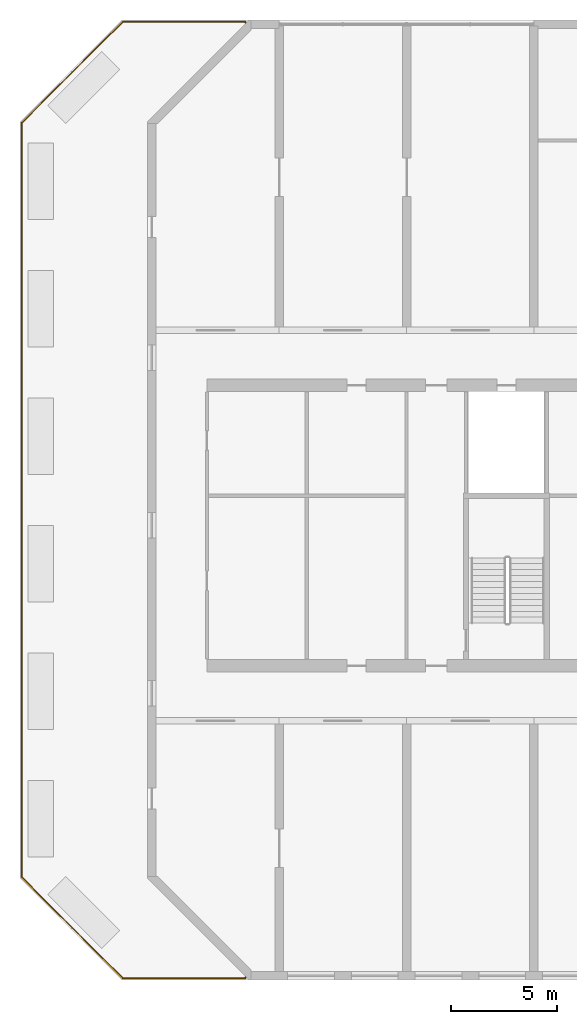
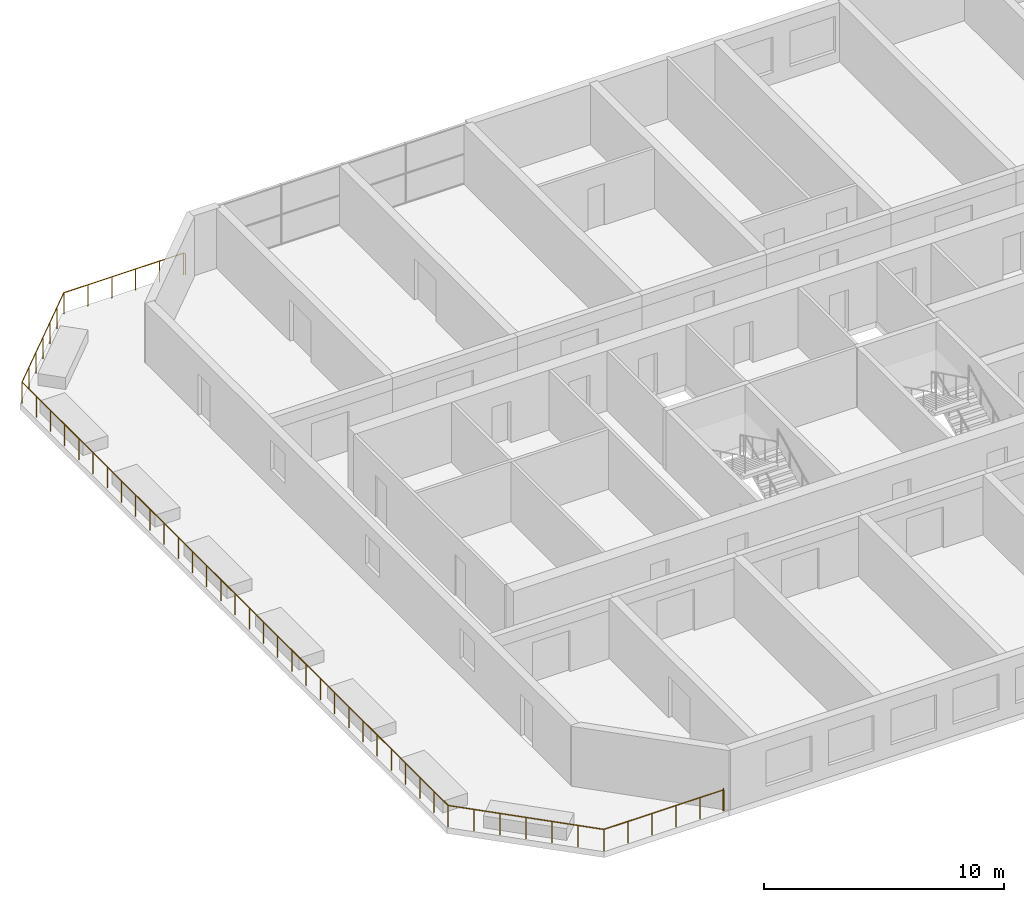
# One storey, part 18 of 21: 1 railing.
"""IFC4 building model written with IfcOpenShell, lengths in metres."""

from ifc_helpers import new_model, si_unit, direction, frame, origin, origin_2d, place, context, subcontext, project, spatial, circle, extrude, material, type_object, element, save


model = new_model("IFC4")

# Units and contexts
model_context = context("Model", 3, precision=1e-05, world=origin(), true_north=direction((0.0, 1.0)))
body_context = subcontext(model_context, "Body", "Model", "MODEL_VIEW")
ifc_project = project(units=[si_unit("LENGTHUNIT", "METRE"), si_unit("AREAUNIT", "SQUARE_METRE"), si_unit("VOLUMEUNIT", "CUBIC_METRE"), si_unit("PLANEANGLEUNIT", "RADIAN"), si_unit("MASSUNIT", "GRAM", prefix="KILO")], contexts=[model_context])

# Site, building, storey
site_placement = place(None, origin())
site = spatial("IfcSite", under=ifc_project, at=site_placement, CompositionType="ELEMENT")
building_placement = place(site_placement, origin())
building = spatial("IfcBuilding", under=site, at=building_placement, Name="Poui Terraces", CompositionType="ELEMENT")
storey_placement = place(building_placement, frame((0.0, 0.0, 53.10009765625)))
storey = spatial("IfcBuildingStorey", under=building, at=storey_placement, Name="L14", CompositionType="ELEMENT", Elevation=53.10009765625)

# Railing
ifc_material = material(Name="Painted steel fretwork", Category="steel")
railing_type = type_object("IfcRailingType", Name="TERRACE GUARD 1100", PredefinedType="GUARDRAIL", material=ifc_material)
railing_placement = place(storey_placement, frame((10.443359375, -0.04345703125, 0.0)))
element("IfcRailing", 1, at=railing_placement, inside=storey, type_object=railing_type, Name="TERRACE GUARD", PredefinedType="GUARDRAIL", context=body_context, shape_type="SweptSolid", body=[
    extrude(circle(Radius=0.02392578125, at=origin_2d()), frame((0.0, 0.0, 1.076171875), z_axis=(-0.705577907011, -0.708632356824, 0.0), x_axis=(0.708632356824, -0.705577907011, 0.0)), (0.0, 0.0, 1.0), 0.079833984375),
    extrude(circle(Radius=0.02392578125, at=origin_2d()), frame((-0.056396484375, -0.056640625, 1.076171875), z_axis=(0.707106781187, -0.707106781187, 0.0), x_axis=(0.707106781187, 0.707106781187, 0.0)), (0.0, 0.0, 1.0), 0.0283203125),
    extrude(circle(Radius=0.02392578125, at=origin_2d()), frame((-0.036376953125, -0.07666015625, 1.076171875), z_axis=(-1.0, 0.0, 0.0), x_axis=(0.0, -1.0, 0.0)), (0.0, 0.0, 1.0), 5.77392578125),
    extrude(circle(Radius=0.02392578125, at=origin_2d()), frame((-5.810302734375, -0.07666015625, 1.076171875), z_axis=(-0.707106781187, 0.707106781187, 0.0), x_axis=(-0.707106781187, -0.707106781187, 0.0)), (0.0, 0.0, 1.0), 6.721923828125),
    extrude(circle(Radius=0.02392578125, at=origin_2d()), frame((-10.5634765625, 4.676513671875, 1.076171875), z_axis=(0.0, 1.0, 0.0), x_axis=(-1.0, 0.0, 0.0)), (0.0, 0.0, 1.0), 35.533935546875),
    extrude(circle(Radius=0.02392578125, at=origin_2d()), frame((-10.5634765625, 40.21044921875, 1.076171875), z_axis=(0.707124941232, 0.707088620674, 0.0), x_axis=(-0.707088620674, 0.707124941232, 0.0)), (0.0, 0.0, 1.0), 6.721923828125),
    extrude(circle(Radius=0.02392578125, at=origin_2d()), frame((-5.810302734375, 44.96337890625, 1.076171875), z_axis=(1.0, 0.0, 0.0), x_axis=(0.0, 1.0, 0.0)), (0.0, 0.0, 1.0), 5.77392578125),
    extrude(circle(Radius=0.02392578125, at=origin_2d()), frame((-0.036376953125, 44.96337890625, 1.076171875), z_axis=(-0.707106781187, -0.707106781187, 0.0), x_axis=(0.707106781187, -0.707106781187, 0.0)), (0.0, 0.0, 1.0), 0.0283203125),
    extrude(circle(Radius=0.02392578125, at=origin_2d()), frame((-0.056396484375, 44.943359375, 1.076171875), z_axis=(0.707106781187, -0.707106781187, 0.0), x_axis=(0.707106781187, 0.707106781187, 0.0)), (0.0, 0.0, 1.0), 0.079833984375),
    extrude(circle(Radius=0.02099609375, at=origin_2d()), origin(), (0.0, 0.0, 1.0), 1.052001953125),
    extrude(circle(Radius=0.02099609375, at=origin_2d()), frame((-0.056396484375, -0.056640625, 0.0)), (0.0, 0.0, 1.0), 1.052001953125),
    extrude(circle(Radius=0.02099609375, at=origin_2d()), frame((-0.036376953125, -0.07666015625, 0.0)), (0.0, 0.0, 1.0), 1.052001953125),
    extrude(circle(Radius=0.02099609375, at=origin_2d()), frame((-1.191162109375, -0.07666015625, 0.0)), (0.0, 0.0, 1.0), 1.052001953125),
    extrude(circle(Radius=0.02099609375, at=origin_2d()), frame((-2.345947265625, -0.07666015625, 0.0)), (0.0, 0.0, 1.0), 1.052001953125),
    extrude(circle(Radius=0.02099609375, at=origin_2d()), frame((-3.500732421875, -0.07666015625, 0.0)), (0.0, 0.0, 1.0), 1.052001953125),
    extrude(circle(Radius=0.02099609375, at=origin_2d()), frame((-4.655517578125, -0.07666015625, 0.0)), (0.0, 0.0, 1.0), 1.052001953125),
    extrude(circle(Radius=0.02099609375, at=origin_2d()), frame((-5.810302734375, -0.07666015625, 0.0)), (0.0, 0.0, 1.0), 1.052001953125),
    extrude(circle(Radius=0.02099609375, at=origin_2d()), frame((-6.6025390625, 0.715576171875, 0.0)), (0.0, 0.0, 1.0), 1.052001953125),
    extrude(circle(Radius=0.02099609375, at=origin_2d()), frame((-7.394775390625, 1.5078125, 0.0)), (0.0, 0.0, 1.0), 1.052001953125),
    extrude(circle(Radius=0.02099609375, at=origin_2d()), frame((-8.18701171875, 2.2998046875, 0.0)), (0.0, 0.0, 1.0), 1.052001953125),
    extrude(circle(Radius=0.02099609375, at=origin_2d()), frame((-8.97900390625, 3.092041015625, 0.0)), (0.0, 0.0, 1.0), 1.052001953125),
    extrude(circle(Radius=0.02099609375, at=origin_2d()), frame((-9.771240234375, 3.88427734375, 0.0)), (0.0, 0.0, 1.0), 1.052001953125),
    extrude(circle(Radius=0.02099609375, at=origin_2d()), frame((-10.5634765625, 4.676513671875, 0.0)), (0.0, 0.0, 1.0), 1.052001953125),
    extrude(circle(Radius=0.02099609375, at=origin_2d()), frame((-10.5634765625, 5.861083984375, 0.0)), (0.0, 0.0, 1.0), 1.052001953125),
    extrude(circle(Radius=0.02099609375, at=origin_2d()), frame((-10.5634765625, 7.04541015625, 0.0)), (0.0, 0.0, 1.0), 1.052001953125),
    extrude(circle(Radius=0.02099609375, at=origin_2d()), frame((-10.5634765625, 8.22998046875, 0.0)), (0.0, 0.0, 1.0), 1.052001953125),
    extrude(circle(Radius=0.02099609375, at=origin_2d()), frame((-10.5634765625, 9.414306640625, 0.0)), (0.0, 0.0, 1.0), 1.052001953125),
    extrude(circle(Radius=0.02099609375, at=origin_2d()), frame((-10.5634765625, 10.598876953125, 0.0)), (0.0, 0.0, 1.0), 1.052001953125),
    extrude(circle(Radius=0.02099609375, at=origin_2d()), frame((-10.5634765625, 11.783203125, 0.0)), (0.0, 0.0, 1.0), 1.052001953125),
    extrude(circle(Radius=0.02099609375, at=origin_2d()), frame((-10.5634765625, 12.9677734375, 0.0)), (0.0, 0.0, 1.0), 1.052001953125),
    extrude(circle(Radius=0.02099609375, at=origin_2d()), frame((-10.5634765625, 14.15234375, 0.0)), (0.0, 0.0, 1.0), 1.052001953125),
    extrude(circle(Radius=0.02099609375, at=origin_2d()), frame((-10.5634765625, 15.336669921875, 0.0)), (0.0, 0.0, 1.0), 1.052001953125),
    extrude(circle(Radius=0.02099609375, at=origin_2d()), frame((-10.5634765625, 16.521240234375, 0.0)), (0.0, 0.0, 1.0), 1.052001953125),
    extrude(circle(Radius=0.02099609375, at=origin_2d()), frame((-10.5634765625, 17.70556640625, 0.0)), (0.0, 0.0, 1.0), 1.052001953125),
    extrude(circle(Radius=0.02099609375, at=origin_2d()), frame((-10.5634765625, 18.89013671875, 0.0)), (0.0, 0.0, 1.0), 1.052001953125),
    extrude(circle(Radius=0.02099609375, at=origin_2d()), frame((-10.5634765625, 20.074462890625, 0.0)), (0.0, 0.0, 1.0), 1.052001953125),
    extrude(circle(Radius=0.02099609375, at=origin_2d()), frame((-10.5634765625, 21.259033203125, 0.0)), (0.0, 0.0, 1.0), 1.052001953125),
    extrude(circle(Radius=0.02099609375, at=origin_2d()), frame((-10.5634765625, 22.443359375, 0.0)), (0.0, 0.0, 1.0), 1.052001953125),
    extrude(circle(Radius=0.02099609375, at=origin_2d()), frame((-10.5634765625, 23.6279296875, 0.0)), (0.0, 0.0, 1.0), 1.052001953125),
    extrude(circle(Radius=0.02099609375, at=origin_2d()), frame((-10.5634765625, 24.8125, 0.0)), (0.0, 0.0, 1.0), 1.052001953125),
    extrude(circle(Radius=0.02099609375, at=origin_2d()), frame((-10.5634765625, 25.996826171875, 0.0)), (0.0, 0.0, 1.0), 1.052001953125),
    extrude(circle(Radius=0.02099609375, at=origin_2d()), frame((-10.5634765625, 27.181396484375, 0.0)), (0.0, 0.0, 1.0), 1.052001953125),
    extrude(circle(Radius=0.02099609375, at=origin_2d()), frame((-10.5634765625, 28.36572265625, 0.0)), (0.0, 0.0, 1.0), 1.052001953125),
    extrude(circle(Radius=0.02099609375, at=origin_2d()), frame((-10.5634765625, 29.55029296875, 0.0)), (0.0, 0.0, 1.0), 1.052001953125),
    extrude(circle(Radius=0.02099609375, at=origin_2d()), frame((-10.5634765625, 30.734619140625, 0.0)), (0.0, 0.0, 1.0), 1.052001953125),
    extrude(circle(Radius=0.02099609375, at=origin_2d()), frame((-10.5634765625, 31.919189453125, 0.0)), (0.0, 0.0, 1.0), 1.052001953125),
    extrude(circle(Radius=0.02099609375, at=origin_2d()), frame((-10.5634765625, 33.103759765625, 0.0)), (0.0, 0.0, 1.0), 1.052001953125),
    extrude(circle(Radius=0.02099609375, at=origin_2d()), frame((-10.5634765625, 34.2880859375, 0.0)), (0.0, 0.0, 1.0), 1.052001953125),
    extrude(circle(Radius=0.02099609375, at=origin_2d()), frame((-10.5634765625, 35.47265625, 0.0)), (0.0, 0.0, 1.0), 1.052001953125),
    extrude(circle(Radius=0.02099609375, at=origin_2d()), frame((-10.5634765625, 36.656982421875, 0.0)), (0.0, 0.0, 1.0), 1.052001953125),
    extrude(circle(Radius=0.02099609375, at=origin_2d()), frame((-10.5634765625, 37.841552734375, 0.0)), (0.0, 0.0, 1.0), 1.052001953125),
    extrude(circle(Radius=0.02099609375, at=origin_2d()), frame((-10.5634765625, 39.02587890625, 0.0)), (0.0, 0.0, 1.0), 1.052001953125),
    extrude(circle(Radius=0.02099609375, at=origin_2d()), frame((-10.5634765625, 40.21044921875, 0.0)), (0.0, 0.0, 1.0), 1.052001953125),
    extrude(circle(Radius=0.02099609375, at=origin_2d()), frame((-9.771240234375, 41.002685546875, 0.0)), (0.0, 0.0, 1.0), 1.052001953125),
    extrude(circle(Radius=0.02099609375, at=origin_2d()), frame((-8.97900390625, 41.794677734375, 0.0)), (0.0, 0.0, 1.0), 1.052001953125),
    extrude(circle(Radius=0.02099609375, at=origin_2d()), frame((-8.18701171875, 42.5869140625, 0.0)), (0.0, 0.0, 1.0), 1.052001953125),
    extrude(circle(Radius=0.02099609375, at=origin_2d()), frame((-7.394775390625, 43.379150390625, 0.0)), (0.0, 0.0, 1.0), 1.052001953125),
    extrude(circle(Radius=0.02099609375, at=origin_2d()), frame((-6.6025390625, 44.171142578125, 0.0)), (0.0, 0.0, 1.0), 1.052001953125),
    extrude(circle(Radius=0.02099609375, at=origin_2d()), frame((-5.810302734375, 44.96337890625, 0.0)), (0.0, 0.0, 1.0), 1.052001953125),
    extrude(circle(Radius=0.02099609375, at=origin_2d()), frame((-4.655517578125, 44.96337890625, 0.0)), (0.0, 0.0, 1.0), 1.052001953125),
    extrude(circle(Radius=0.02099609375, at=origin_2d()), frame((-3.500732421875, 44.96337890625, 0.0)), (0.0, 0.0, 1.0), 1.052001953125),
    extrude(circle(Radius=0.02099609375, at=origin_2d()), frame((-2.345947265625, 44.96337890625, 0.0)), (0.0, 0.0, 1.0), 1.052001953125),
    extrude(circle(Radius=0.02099609375, at=origin_2d()), frame((-1.191162109375, 44.96337890625, 0.0)), (0.0, 0.0, 1.0), 1.052001953125),
    extrude(circle(Radius=0.02099609375, at=origin_2d()), frame((-0.036376953125, 44.96337890625, 0.0)), (0.0, 0.0, 1.0), 1.052001953125),
    extrude(circle(Radius=0.02099609375, at=origin_2d()), frame((-0.056396484375, 44.943359375, 0.0)), (0.0, 0.0, 1.0), 1.052001953125),
    extrude(circle(Radius=0.02099609375, at=origin_2d()), frame((0.0, 44.886962890625, 0.0)), (0.0, 0.0, 1.0), 1.052001953125),
])

save(model, "model.ifc")
